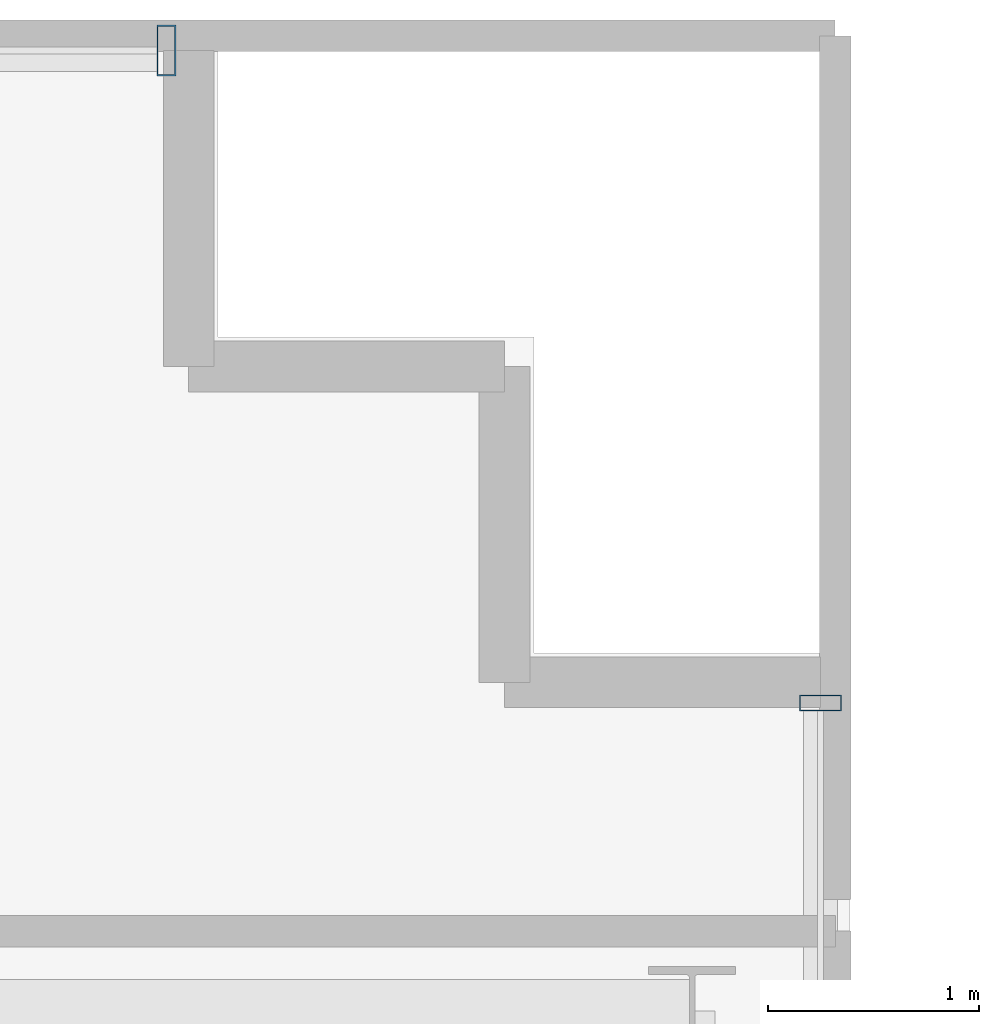
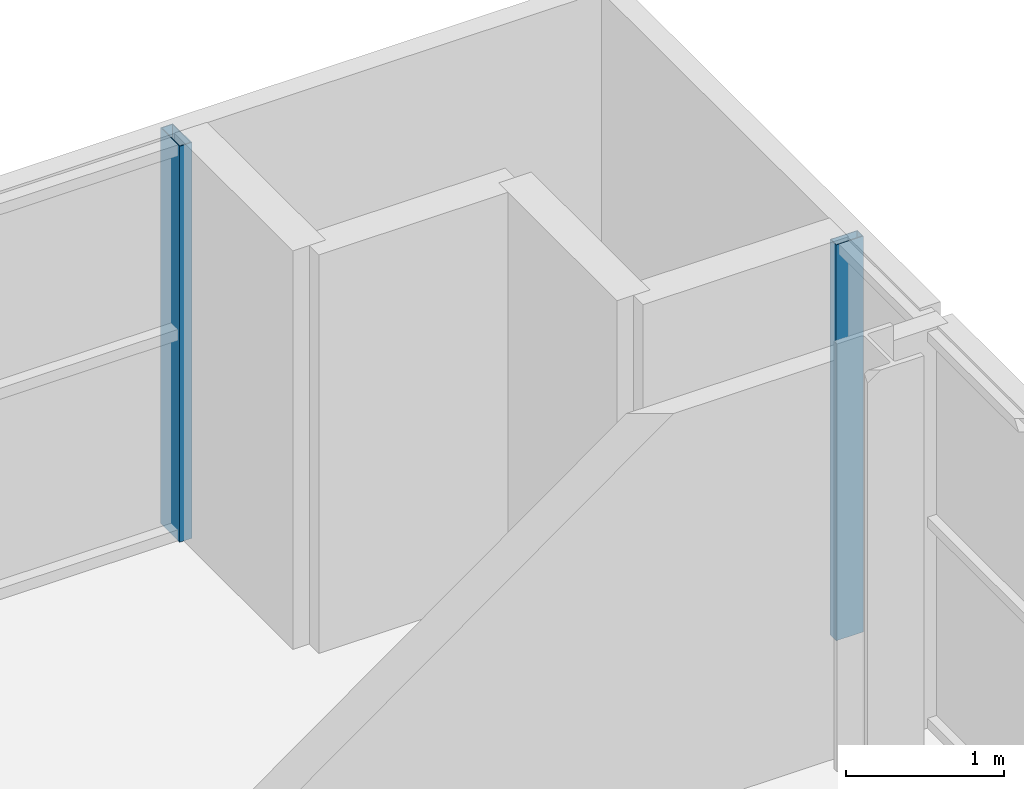
# One storey, part 20 of 29: 2 members, 2 elements without a shape of their own.
"""IFC4 building model written with IfcOpenShell, lengths in metres."""

import ifcopenshell
import ifcopenshell.guid

model = None  # the IFC model being written
_history = None  # IfcOwnerHistory: only IFC2X3 demands one
_inside = {}  # id of a spatial element -> (the spatial element, [elements in it])
_under = {}  # id of a project, library or spatial element -> (it, [spatial elements below it])
_declared = {}  # id of a project -> (the project, [libraries it declares])
_typed = {}  # id of a type object -> (the type object, [elements of that type])
_made_of = {}  # id of a material, layer set ... -> (it, [elements and type objects made of it])


def new_model(schema):
    """Start an empty IFC model of exactly this schema.

    Asked for "IFC4X3", IfcOpenShell would pick the latest addendum, in which some entities
    have other attributes; the version numbers below select the first issue.
    IFC2X3 requires an IfcOwnerHistory on every rooted entity: one is made here for all.
    """
    global model, _history
    if schema == "IFC4X3":
        model = ifcopenshell.file(schema_version=(4, 3, 0, 0))
    else:
        model = ifcopenshell.file(schema=schema)
    _inside.clear()
    _under.clear()
    _declared.clear()
    _typed.clear()
    _made_of.clear()
    _history = None
    if model.schema == "IFC2X3":
        org = make("IfcOrganization", Name="unknown")
        user = make(
            "IfcPersonAndOrganization",
            ThePerson=make("IfcPerson", FamilyName="unknown"),
            TheOrganization=org,
        )
        app = make(
            "IfcApplication",
            ApplicationDeveloper=org,
            Version="unknown",
            ApplicationFullName="unknown",
            ApplicationIdentifier="unknown",
        )
        _history = make(
            "IfcOwnerHistory",
            OwningUser=user,
            OwningApplication=app,
            ChangeAction="ADDED",
            CreationDate=0,
        )
    return model


def make(cls, **values):
    """One entity of the class cls with the attributes given. An attribute that is None is left unset."""
    return model.create_entity(
        cls, **{name: value for name, value in values.items() if value is not None}
    )


def rooted(cls, **values):
    """An entity with a GlobalId (a new one), such as an element, a storey or a relation."""
    return make(cls, GlobalId=ifcopenshell.guid.new(), OwnerHistory=_history, **values)


def si_unit(unit_type, name, prefix=None):
    """IfcSIUnit, for example si_unit("LENGTHUNIT", "METRE", prefix="MILLI")."""
    return make("IfcSIUnit", UnitType=unit_type, Prefix=prefix, Name=name)


def assignment(units):
    """IfcUnitAssignment: the units of a project."""
    return None if units is None else make("IfcUnitAssignment", Units=units)


def point(xyz):
    """IfcCartesianPoint."""
    return None if xyz is None else make("IfcCartesianPoint", Coordinates=xyz)


def direction(xyz):
    """IfcDirection."""
    return None if xyz is None else make("IfcDirection", DirectionRatios=xyz)


def frame(location, z_axis=None, x_axis=None):
    """IfcAxis2Placement3D, a coordinate frame: its origin and axes. An axis left out is left unset."""
    return make(
        "IfcAxis2Placement3D",
        Location=point(location),
        Axis=direction(z_axis),
        RefDirection=direction(x_axis),
    )


def frame_2d(location, x_axis=None):
    """IfcAxis2Placement2D, a coordinate frame in the plane: its origin and x axis."""
    return make(
        "IfcAxis2Placement2D", Location=point(location), RefDirection=direction(x_axis)
    )


def origin():
    """The frame at (0, 0, 0) with its axes left unset."""
    return frame((0.0, 0.0, 0.0))


def origin_2d():
    """The frame at (0, 0) in the plane with its x axis left unset."""
    return frame_2d((0.0, 0.0))


def place(relative_to, where):
    """IfcLocalPlacement: puts the frame where relative to a parent placement (None: the world)."""
    return make(
        "IfcLocalPlacement", PlacementRelTo=relative_to, RelativePlacement=where
    )


def context(
    kind, dimensions, precision=None, world=None, true_north=None, identifier=None
):
    """IfcGeometricRepresentationContext, for example the 3D "Model" context."""
    return make(
        "IfcGeometricRepresentationContext",
        ContextIdentifier=identifier,
        ContextType=kind,
        CoordinateSpaceDimension=dimensions,
        Precision=precision,
        WorldCoordinateSystem=world,
        TrueNorth=true_north,
    )


def subcontext(parent, identifier, kind, view, scale=None):
    """IfcGeometricRepresentationSubContext, for example "Body" below "Model"."""
    return make(
        "IfcGeometricRepresentationSubContext",
        ContextIdentifier=identifier,
        ContextType=kind,
        ParentContext=parent,
        TargetScale=scale,
        TargetView=view,
    )


def project(units=None, contexts=None):
    """IfcProject with its units and contexts."""
    return rooted(
        "IfcProject",
        Name="project",
        RepresentationContexts=contexts,
        UnitsInContext=assignment(units),
    )


def spatial(cls, under=None, at=None, **own):
    """A site, building, storey or space (cls), placed at a placement, below another one or the project."""
    s = rooted(cls, ObjectPlacement=at, **own)
    if under is not None:
        _under.setdefault(under.id(), (under, []))[1].append(s)
    return s


def profile(cls, at=None, kind="AREA", **sizes):
    """A parametric profile (cls). Its sizes go by their IFC names, for example OverallWidth=200.0."""
    return make(cls, ProfileType=kind, Position=at, **sizes)


def hollow_rectangle(**sizes):
    """IfcRectangleHollowProfileDef."""
    return profile("IfcRectangleHollowProfileDef", **sizes)


def extrude(swept, where, along, depth):
    """IfcExtrudedAreaSolid: the profile swept, set in the frame where, extruded along a direction by depth."""
    return make(
        "IfcExtrudedAreaSolid",
        SweptArea=swept,
        Position=where,
        ExtrudedDirection=direction(along),
        Depth=depth,
    )


def shape(context_of_items, identifier, shape_type, items):
    """IfcShapeRepresentation: the items that make up one representation, for example the "Body"."""
    return make(
        "IfcShapeRepresentation",
        ContextOfItems=context_of_items,
        RepresentationIdentifier=identifier,
        RepresentationType=shape_type,
        Items=items,
    )


def source(mapping_origin, context_of_items, identifier, shape_type, items):
    """IfcRepresentationMap: a shape defined once, which mapped items show again and again."""
    return make(
        "IfcRepresentationMap",
        MappingOrigin=mapping_origin,
        MappedRepresentation=shape(context_of_items, identifier, shape_type, items),
    )


def transform(
    local_origin,
    x_axis=None,
    y_axis=None,
    z_axis=None,
    scale=None,
    scale2=None,
    scale3=None,
    uniform=True,
):
    """IfcCartesianTransformationOperator3D, or its non-uniform kind. x_axis, y_axis, z_axis: its Axis1, 2, 3."""
    if uniform:
        return make(
            "IfcCartesianTransformationOperator3D",
            Axis1=direction(x_axis),
            Axis2=direction(y_axis),
            LocalOrigin=point(local_origin),
            Scale=scale,
            Axis3=direction(z_axis),
        )
    return make(
        "IfcCartesianTransformationOperator3DnonUniform",
        Axis1=direction(x_axis),
        Axis2=direction(y_axis),
        LocalOrigin=point(local_origin),
        Scale=scale,
        Axis3=direction(z_axis),
        Scale2=scale2,
        Scale3=scale3,
    )


def mapped(mapping_source, mapping_target):
    """IfcMappedItem: shows the shape of a source again, moved by a transform."""
    return make(
        "IfcMappedItem", MappingSource=mapping_source, MappingTarget=mapping_target
    )


def material(Name=None, Category=None):
    """IfcMaterial."""
    return make("IfcMaterial", Name=Name, Category=Category)


def layer(
    of_material, thickness, ventilated=None, Name=None, Category=None, Priority=None
):
    """IfcMaterialLayer: one layer of a wall or slab, of a material (None: an air gap)."""
    return make(
        "IfcMaterialLayer",
        Material=of_material,
        LayerThickness=thickness,
        IsVentilated=ventilated,
        Name=Name,
        Category=Category,
        Priority=Priority,
    )


def layer_set(layers, Name=None):
    """IfcMaterialLayerSet."""
    return make("IfcMaterialLayerSet", MaterialLayers=layers, LayerSetName=Name)


def material_profile(
    of_material, cross_section, Name=None, Category=None, Priority=None
):
    """IfcMaterialProfile: a cross section and its material."""
    return make(
        "IfcMaterialProfile",
        Name=Name,
        Material=of_material,
        Profile=cross_section,
        Priority=Priority,
        Category=Category,
    )


def profile_set(profiles, Name=None, composite=None):
    """IfcMaterialProfileSet."""
    return make(
        "IfcMaterialProfileSet",
        Name=Name,
        MaterialProfiles=profiles,
        CompositeProfile=composite,
    )


def made_of(thing, what):
    """Note that an element or type object is made of a material, layer set ...; save() writes the relation."""
    if what is not None:
        _made_of.setdefault(what.id(), (what, []))[1].append(thing)
    return thing


def type_object(cls, material=None, **own):
    """A type object (cls), such as IfcWallType, which elements share."""
    return made_of(rooted(cls, **own), material)


def element(
    cls,
    number,
    at=None,
    inside=None,
    cuts=None,
    type_object=None,
    material=None,
    context=None,
    identifier="Body",
    shape_type=None,
    held_by="IfcProductDefinitionShape",
    body=None,
    shapes=None,
    **own,
):
    """One element of the class cls, such as IfcWall. Its Tag is "e" and its number.

    at: its placement. inside: the storey or other place that contains it. cuts: it is an
    opening in that element (IfcRelVoidsElement). A single representation is given by context,
    identifier, shape_type and body (its items); several are given by shapes. held_by: the class
    of the entity that holds the representations. save() writes the other relations.
    """
    e = rooted(cls, Tag="e%d" % number, ObjectPlacement=at, **own)
    if body is not None:
        shapes = [shape(context, identifier, shape_type, body)]
    if shapes is not None:
        e.Representation = make(held_by, Representations=shapes)
    if inside is not None:
        _inside.setdefault(inside.id(), (inside, []))[1].append(e)
    if cuts is not None:
        rooted(
            "IfcRelVoidsElement", RelatingBuildingElement=cuts, RelatedOpeningElement=e
        )
    if type_object is not None:
        _typed.setdefault(type_object.id(), (type_object, []))[1].append(e)
    return made_of(e, material)


def aggregate(whole, parts):
    """IfcRelAggregates: a whole, such as a stair, and the parts it consists of."""
    return rooted("IfcRelAggregates", RelatingObject=whole, RelatedObjects=parts)


def save(model, path):
    """Write the relations noted so far, then the file.

    IfcRelAggregates (storeys below a building ...), IfcRelContainedInSpatialStructure (elements
    in a storey), IfcRelDefinesByType, IfcRelAssociatesMaterial and IfcRelDeclares: one each for
    every whole, place, type object, material and project.
    """
    for whole, parts in _under.values():
        aggregate(whole, parts)
    for where, things in _inside.values():
        rooted(
            "IfcRelContainedInSpatialStructure",
            RelatedElements=things,
            RelatingStructure=where,
        )
    for kind, things in _typed.values():
        rooted("IfcRelDefinesByType", RelatedObjects=things, RelatingType=kind)
    for what, things in _made_of.values():
        rooted("IfcRelAssociatesMaterial", RelatedObjects=things, RelatingMaterial=what)
    for by, libraries in _declared.values():
        rooted("IfcRelDeclares", RelatingContext=by, RelatedDefinitions=libraries)
    model.write(path)


model = new_model("IFC4")

# Units and contexts
model_context = context("Model", 3, precision=1e-05, world=origin(), true_north=direction((0.0, 1.0)))
body_context = subcontext(model_context, "Body", "Model", "MODEL_VIEW")
ifc_project = project(units=[si_unit("LENGTHUNIT", "METRE"), si_unit("AREAUNIT", "SQUARE_METRE"), si_unit("VOLUMEUNIT", "CUBIC_METRE"), si_unit("PLANEANGLEUNIT", "RADIAN"), si_unit("MASSUNIT", "GRAM", prefix="KILO")], contexts=[model_context])

# Site, building, storey
site_placement = place(None, origin())
site = spatial("IfcSite", under=ifc_project, at=site_placement, CompositionType="ELEMENT")
building_placement = place(site_placement, origin())
building = spatial("IfcBuilding", under=site, at=building_placement, Name="Zarnakvel Exchange Tower", CompositionType="ELEMENT")
storey_placement = place(building_placement, frame((0.0, 0.0, 37.300048828125)))
storey = spatial("IfcBuildingStorey", under=building, at=storey_placement, Name="L09", CompositionType="ELEMENT", Elevation=37.300048828125)

# Curtain wall, member
ifc_material = material(Name="Architectural Bronze Anodised Aluminium", Category="aluminium")
ifc_layer_1 = layer(ifc_material, 0.239990234375)
ifc_layer_set_1 = layer_set([ifc_layer_1], Name="Architectural Bronze Anodised Aluminium")
curtain_wall_type_1 = type_object("IfcCurtainWallType", Name="CW-02", PredefinedType="NOTDEFINED", material=ifc_layer_set_1)
curtain_wall_1_placement = place(storey_placement, origin())
curtain_wall_1 = element("IfcCurtainWall", 1, at=curtain_wall_1_placement, inside=storey, type_object=curtain_wall_type_1, Name="L09 Curtain Wall CW-L09-N1 (CW-02)", PredefinedType="NOTDEFINED")
ifc_material_profile_1 = material_profile(ifc_material, hollow_rectangle(XDim=0.239990234375, YDim=0.090087890625, WallThickness=0.006103515625, at=origin_2d()))
ifc_profile_set_1 = profile_set([ifc_material_profile_1], Name="Architectural Bronze Anodised Aluminium")
member_type_1 = type_object("IfcMemberType", Name="CWM-02", PredefinedType="MULLION", material=ifc_profile_set_1)
shared_shape_1 = source(origin(), body_context, "Body", "SweptSolid", [
    extrude(hollow_rectangle(XDim=0.239990234375, YDim=0.090087890625, WallThickness=0.006103515625, at=origin_2d()), origin(), (0.0, 0.0, 1.0), 3.054931640625),
])
member_1_placement = place(storey_placement, frame((25.35498046875, 18.06005859375, 0.0), z_axis=(0.0, 0.0, 1.0), x_axis=(0.0, 1.0, 0.0)))
member_1 = element("IfcMember", 2, at=member_1_placement, type_object=member_type_1, Name="CW-02 mullion 8", PredefinedType="MULLION", context=body_context, shape_type="MappedRepresentation", body=[
    mapped(shared_shape_1, transform((0.0, 0.0, 0.0), x_axis=(1.0, 0.0, 0.0), y_axis=(0.0, 1.0, 0.0), z_axis=(0.0, 0.0, 1.0), scale=1.0)),
])
aggregate(curtain_wall_1, [member_1])

ifc_layer_2 = layer(ifc_material, 0.199951171875)
ifc_layer_set_2 = layer_set([ifc_layer_2], Name="Architectural Bronze Anodised Aluminium")
curtain_wall_type_2 = type_object("IfcCurtainWallType", Name="CW-04", PredefinedType="NOTDEFINED", material=ifc_layer_set_2)
curtain_wall_2_placement = place(storey_placement, origin())
curtain_wall_2 = element("IfcCurtainWall", 3, at=curtain_wall_2_placement, inside=storey, type_object=curtain_wall_type_2, Name="L09 Curtain Wall CW-L09-EN (CW-04)", PredefinedType="NOTDEFINED")
ifc_material_profile_2 = material_profile(ifc_material, hollow_rectangle(XDim=0.199951171875, YDim=0.074951171875, WallThickness=0.0048828125, at=origin_2d()))
ifc_profile_set_2 = profile_set([ifc_material_profile_2], Name="Architectural Bronze Anodised Aluminium")
member_type_2 = type_object("IfcMemberType", Name="CWM-04", PredefinedType="MULLION", material=ifc_profile_set_2)
shared_shape_2 = source(origin(), body_context, "Body", "SweptSolid", [
    extrude(hollow_rectangle(XDim=0.199951171875, YDim=0.074951171875, WallThickness=0.0048828125, at=origin_2d()), origin(), (0.0, 0.0, 1.0), 3.054931640625),
])
member_2_placement = place(storey_placement, frame((28.4599609375, 14.96240234375, 0.0), z_axis=(0.0, 0.0, 1.0), x_axis=(-1.0, 0.0, 0.0)))
member_2 = element("IfcMember", 4, at=member_2_placement, type_object=member_type_2, Name="CW-04 mullion 3", PredefinedType="MULLION", context=body_context, shape_type="MappedRepresentation", body=[
    mapped(shared_shape_2, transform((0.0, 0.0, 0.0), x_axis=(1.0, 0.0, 0.0), y_axis=(0.0, 1.0, 0.0), z_axis=(0.0, 0.0, 1.0), scale=1.0)),
])
aggregate(curtain_wall_2, [member_2])

save(model, "model.ifc")
